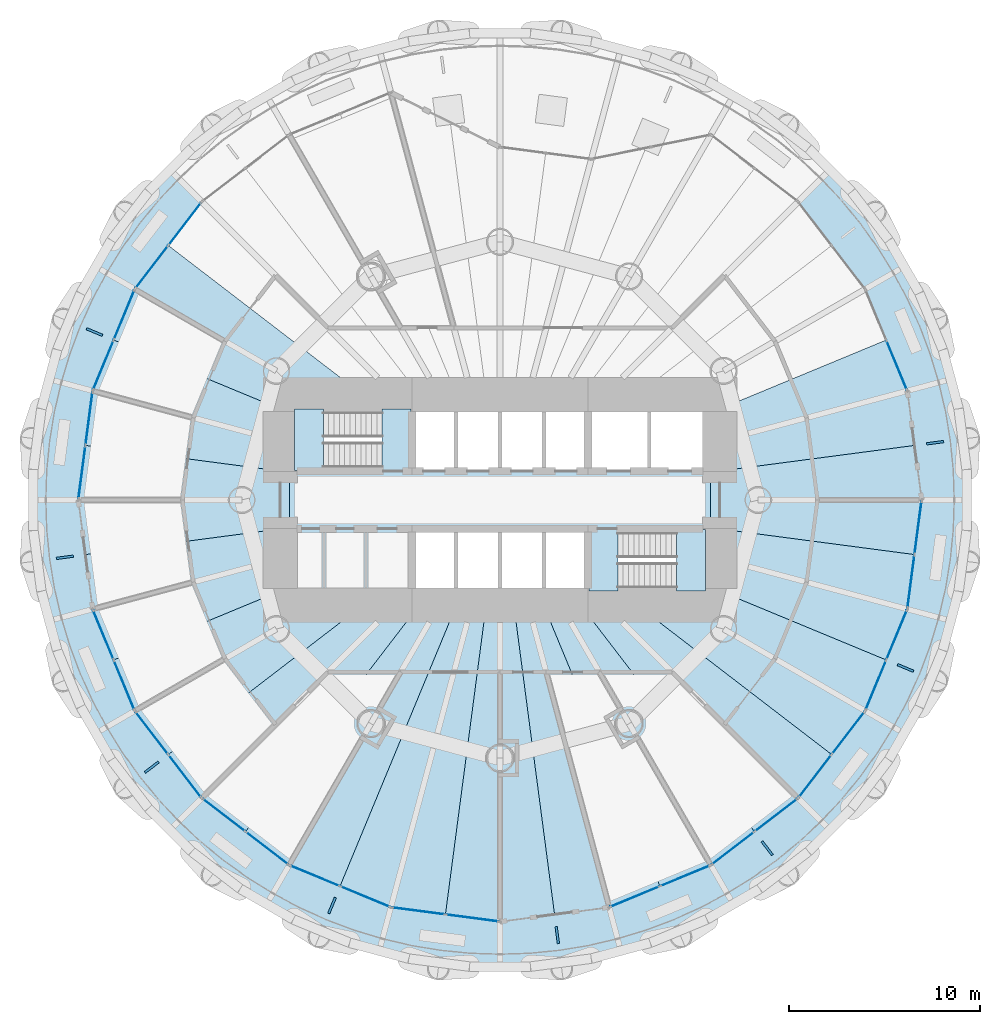
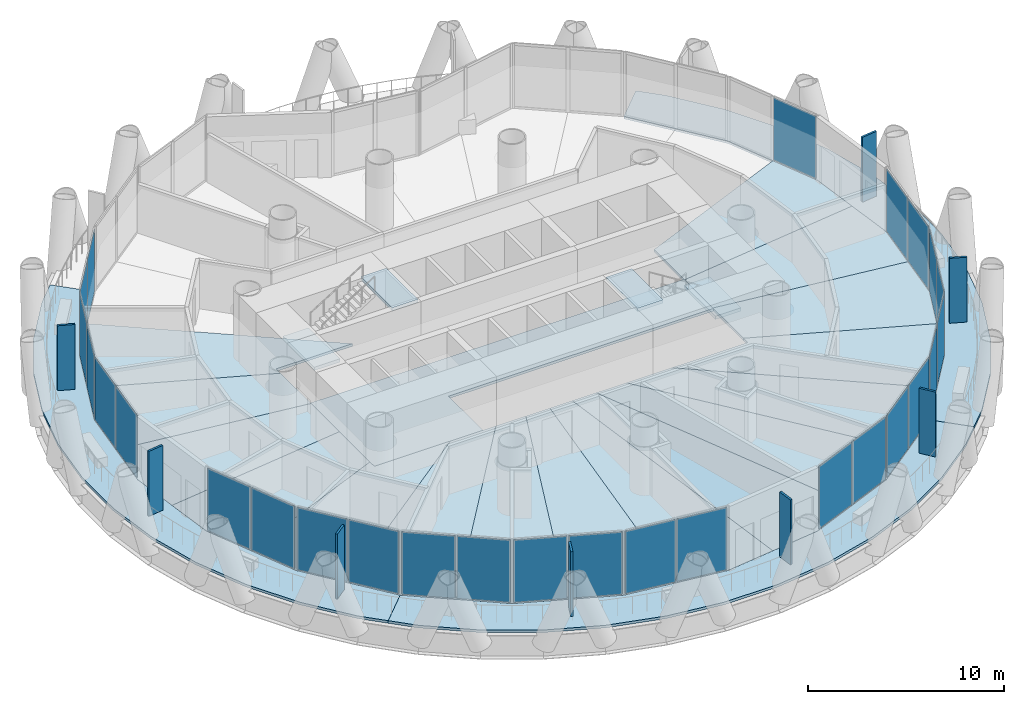
# One storey, part 8 of 16: 35 plates, 24 slabs, 16 elements without a shape of their own.
"""IFC4 building model written with IfcOpenShell, lengths in metres."""

from ifc_helpers import new_model, si_unit, direction, frame, origin, origin_2d, place, context, subcontext, project, spatial, polyline, rectangle, outline, extrude, material, layer, layer_set, type_object, element, aggregate, save


model = new_model("IFC4")

# Units and contexts
model_context = context("Model", 3, precision=1e-05, world=origin(), true_north=direction((0.0, 1.0)))
body_context = subcontext(model_context, "Body", "Model", "MODEL_VIEW")
ifc_project = project(units=[si_unit("LENGTHUNIT", "METRE"), si_unit("AREAUNIT", "SQUARE_METRE"), si_unit("VOLUMEUNIT", "CUBIC_METRE"), si_unit("PLANEANGLEUNIT", "RADIAN"), si_unit("MASSUNIT", "GRAM", prefix="KILO")], contexts=[model_context])

# Site, building, storey
site_placement = place(None, origin())
site = spatial("IfcSite", under=ifc_project, at=site_placement, CompositionType="ELEMENT")
building_placement = place(site_placement, origin())
building = spatial("IfcBuilding", under=site, at=building_placement, Name="Qaws Media Tower", CompositionType="ELEMENT")
storey_placement = place(building_placement, frame((0.0, 0.0, 47.0)))
storey = spatial("IfcBuildingStorey", under=building, at=storey_placement, Name="L09", CompositionType="ELEMENT", Elevation=47.0)

# Slabs
ifc_material_1 = material(Name="Concrete C35/45", Category="concrete")
ifc_layer_1 = layer(ifc_material_1, 0.159912109375)
ifc_layer_set_1 = layer_set([ifc_layer_1], Name="Composite balcony slab 160")
slab_type_1 = type_object("IfcSlabType", Name="Composite balcony slab 160", PredefinedType="FLOOR", material=ifc_layer_set_1)
slab_1_placement = place(storey_placement, frame((0.0, 0.0, -0.159912109375)))
element("IfcSlab", 1, at=slab_1_placement, inside=storey, type_object=slab_type_1, Name="S2 balcony slab L09 R10 to R16, movement joints on R10 and R16", PredefinedType="FLOOR", context=body_context, shape_type="SweptSolid", body=[
    extrude(outline(polyline([(41.617431640625, 33.87890625), (39.670654296875, 36.416259765625), (38.071533203125, 39.18603515625), (36.84765625, 42.140869140625), (36.019775390625, 45.22998046875), (35.602294921875, 48.40087890625), (35.602294921875, 51.59912109375), (36.019775390625, 54.77001953125), (36.84765625, 57.859130859375), (38.071533203125, 60.81396484375), (39.670654296875, 63.583740234375), (41.617431640625, 66.12109375), (42.748291015625, 67.251708984375), (44.408203125, 65.591796875), (40.904052734375, 61.02490234375), (38.701416015625, 55.70703125), (37.949951171875, 50.0), (38.701416015625, 44.29296875), (40.904052734375, 38.97509765625), (44.408203125, 34.408203125), (42.748291015625, 32.748291015625), (41.617431640625, 33.87890625)])), origin(), (0.0, 0.0, 1.0), 0.159912109375),
])
slab_2_placement = place(storey_placement, frame((0.0, 0.0, -0.159912109375)))
element("IfcSlab", 2, at=slab_2_placement, inside=storey, type_object=slab_type_1, Name="S2 balcony slab L09 R16 to R22, movement joints on R16 and R22", PredefinedType="FLOOR", context=body_context, shape_type="SweptSolid", body=[
    extrude(outline(polyline([(76.12109375, 31.617431640625), (73.583740234375, 29.670654296875), (70.81396484375, 28.071533203125), (67.859130859375, 26.84765625), (64.77001953125, 26.019775390625), (61.59912109375, 25.602294921875), (58.40087890625, 25.602294921875), (55.22998046875, 26.019775390625), (52.140869140625, 26.84765625), (49.18603515625, 28.071533203125), (46.416259765625, 29.670654296875), (43.87890625, 31.617431640625), (42.748291015625, 32.748291015625), (44.408203125, 34.408203125), (48.97509765625, 30.904052734375), (54.29296875, 28.701416015625), (60.0, 27.949951171875), (65.70703125, 28.701416015625), (71.02490234375, 30.904052734375), (75.591796875, 34.408203125), (77.251708984375, 32.748291015625), (76.12109375, 31.617431640625)])), origin(), (0.0, 0.0, 1.0), 0.159912109375),
])
slab_3_placement = place(storey_placement, frame((0.0, 0.0, -0.159912109375)))
element("IfcSlab", 3, at=slab_3_placement, inside=storey, type_object=slab_type_1, Name="S2 balcony slab L09 R22 to R04, movement joints on R22 and R04", PredefinedType="FLOOR", context=body_context, shape_type="SweptSolid", body=[
    extrude(outline(polyline([(83.980224609375, 45.22998046875), (83.15234375, 42.140869140625), (81.928466796875, 39.18603515625), (80.329345703125, 36.416259765625), (78.382568359375, 33.87890625), (77.251708984375, 32.748291015625), (75.591796875, 34.408203125), (79.095947265625, 38.97509765625), (81.298583984375, 44.29296875), (82.050048828125, 50.0), (81.298583984375, 55.70703125), (79.095947265625, 61.02490234375), (75.591796875, 65.591796875), (77.251708984375, 67.251708984375), (78.382568359375, 66.12109375), (80.329345703125, 63.583740234375), (81.928466796875, 60.81396484375), (83.15234375, 57.859130859375), (83.980224609375, 54.77001953125), (84.397705078125, 51.59912109375), (84.397705078125, 48.40087890625), (83.980224609375, 45.22998046875)])), origin(), (0.0, 0.0, 1.0), 0.159912109375),
])
ifc_material_2 = material(Name="Concrete C35/45", Category="concrete")
ifc_layer_2 = layer(ifc_material_2, 0.159912109375)
ifc_layer_set_2 = layer_set([ifc_layer_2], Name="Composite floor slab 160")
slab_type_2 = type_object("IfcSlabType", Name="Composite floor slab 160", PredefinedType="FLOOR", material=ifc_layer_set_2)
slab_4_placement = place(storey_placement, frame((0.0, 0.0, -0.159912109375)))
element("IfcSlab", 4, at=slab_4_placement, inside=storey, type_object=slab_type_2, Name="S1 core floor slab L09", PredefinedType="FLOOR", context=body_context, shape_type="SweptSolid", body=[
    extrude(outline(polyline([(71.0, 51.5), (71.0, 48.5), (55.39990234375, 48.5), (55.39990234375, 45.0), (49.0, 45.0), (49.0, 51.5), (71.0, 51.5)])), origin(), (0.0, 0.0, 1.0), 0.159912109375),
])
slab_5_placement = place(storey_placement, frame((0.0, 0.0, -0.159912109375)))
element("IfcSlab", 5, at=slab_5_placement, inside=storey, type_object=slab_type_2, Name="S1 floor panel L09 on R01", PredefinedType="FLOOR", context=body_context, shape_type="SweptSolid", body=[
    extrude(outline(polyline([(82.050048828125, 50.0), (81.67431640625, 47.146484375), (71.0, 48.5517578125), (71.0, 51.4482421875), (81.67431640625, 52.853515625), (82.050048828125, 50.0)])), origin(), (0.0, 0.0, 1.0), 0.159912109375),
])
slab_6_placement = place(storey_placement, frame((0.0, 0.0, -0.159912109375)))
element("IfcSlab", 6, at=slab_6_placement, inside=storey, type_object=slab_type_2, Name="S1 floor panel L09 on R02", PredefinedType="FLOOR", context=body_context, shape_type="SweptSolid", body=[
    extrude(outline(polyline([(81.298583984375, 55.70703125), (81.67431640625, 52.853515625), (71.0, 51.4482421875), (71.0, 54.556396484375), (80.197265625, 58.365966796875), (81.298583984375, 55.70703125)])), origin(), (0.0, 0.0, 1.0), 0.159912109375),
])
slab_7_placement = place(storey_placement, frame((0.0, 0.0, -0.159912109375)))
element("IfcSlab", 7, at=slab_7_placement, inside=storey, type_object=slab_type_2, Name="S1 floor panel L09 on R11", PredefinedType="FLOOR", context=body_context, shape_type="SweptSolid", body=[
    extrude(outline(polyline([(40.904052734375, 61.02490234375), (42.65625, 63.308349609375), (53.48388671875, 55.0), (49.0, 55.0), (49.0, 54.556396484375), (39.802734375, 58.365966796875), (40.904052734375, 61.02490234375)])), origin(), (0.0, 0.0, 1.0), 0.159912109375),
])
slab_8_placement = place(storey_placement, frame((0.0, 0.0, -0.159912109375)))
element("IfcSlab", 8, at=slab_8_placement, inside=storey, type_object=slab_type_2, Name="S1 floor panel L09 on R12", PredefinedType="FLOOR", context=body_context, shape_type="SweptSolid", body=[
    extrude(outline(polyline([(38.701416015625, 55.70703125), (39.802734375, 58.365966796875), (49.0, 54.556396484375), (49.0, 51.4482421875), (38.32568359375, 52.853515625), (38.701416015625, 55.70703125)])), origin(), (0.0, 0.0, 1.0), 0.159912109375),
])
slab_9_placement = place(storey_placement, frame((0.0, 0.0, -0.159912109375)))
element("IfcSlab", 9, at=slab_9_placement, inside=storey, type_object=slab_type_2, Name="S1 floor panel L09 on R13", PredefinedType="FLOOR", context=body_context, shape_type="SweptSolid", body=[
    extrude(outline(polyline([(37.949951171875, 50.0), (38.32568359375, 52.853515625), (49.0, 51.4482421875), (49.0, 48.5517578125), (38.32568359375, 47.146484375), (37.949951171875, 50.0)])), origin(), (0.0, 0.0, 1.0), 0.159912109375),
])
slab_10_placement = place(storey_placement, frame((0.0, 0.0, -0.159912109375)))
element("IfcSlab", 10, at=slab_10_placement, inside=storey, type_object=slab_type_2, Name="S1 floor panel L09 on R14", PredefinedType="FLOOR", context=body_context, shape_type="SweptSolid", body=[
    extrude(outline(polyline([(38.701416015625, 44.29296875), (38.32568359375, 47.146484375), (49.0, 48.5517578125), (49.0, 45.443603515625), (39.802734375, 41.634033203125), (38.701416015625, 44.29296875)])), origin(), (0.0, 0.0, 1.0), 0.159912109375),
])
slab_11_placement = place(storey_placement, frame((0.0, 0.0, -0.159912109375)))
element("IfcSlab", 11, at=slab_11_placement, inside=storey, type_object=slab_type_2, Name="S1 floor panel L09 on R15", PredefinedType="FLOOR", context=body_context, shape_type="SweptSolid", body=[
    extrude(outline(polyline([(40.904052734375, 38.97509765625), (39.802734375, 41.634033203125), (49.0, 45.443603515625), (49.0, 45.0), (53.48388671875, 45.0), (42.65625, 36.691650390625), (40.904052734375, 38.97509765625)])), origin(), (0.0, 0.0, 1.0), 0.159912109375),
])
slab_12_placement = place(storey_placement, frame((0.0, 0.0, -0.159912109375)))
element("IfcSlab", 12, at=slab_12_placement, inside=storey, type_object=slab_type_2, Name="S1 floor panel L09 on R16", PredefinedType="FLOOR", context=body_context, shape_type="SweptSolid", body=[
    extrude(outline(polyline([(44.408203125, 34.408203125), (42.65625, 36.691650390625), (53.48388671875, 45.0), (56.163330078125, 45.0), (46.691650390625, 32.65625), (44.408203125, 34.408203125)])), origin(), (0.0, 0.0, 1.0), 0.159912109375),
])
slab_13_placement = place(storey_placement, frame((0.0, 0.0, -0.159912109375)))
element("IfcSlab", 13, at=slab_13_placement, inside=storey, type_object=slab_type_2, Name="S1 floor panel L09 on R17", PredefinedType="FLOOR", context=body_context, shape_type="SweptSolid", body=[
    extrude(outline(polyline([(48.97509765625, 30.904052734375), (46.691650390625, 32.65625), (56.163330078125, 45.0), (57.928955078125, 45.0), (51.634033203125, 29.802734375), (48.97509765625, 30.904052734375)])), origin(), (0.0, 0.0, 1.0), 0.159912109375),
])
slab_14_placement = place(storey_placement, frame((0.0, 0.0, -0.159912109375)))
element("IfcSlab", 14, at=slab_14_placement, inside=storey, type_object=slab_type_2, Name="S1 floor panel L09 on R18", PredefinedType="FLOOR", context=body_context, shape_type="SweptSolid", body=[
    extrude(outline(polyline([(54.29296875, 28.701416015625), (51.634033203125, 29.802734375), (57.928955078125, 45.0), (59.341796875, 45.0), (57.146484375, 28.32568359375), (54.29296875, 28.701416015625)])), origin(), (0.0, 0.0, 1.0), 0.159912109375),
])
slab_15_placement = place(storey_placement, frame((0.0, 0.0, -0.159912109375)))
element("IfcSlab", 15, at=slab_15_placement, inside=storey, type_object=slab_type_2, Name="S1 floor panel L09 on R19", PredefinedType="FLOOR", context=body_context, shape_type="SweptSolid", body=[
    extrude(outline(polyline([(60.0, 27.949951171875), (57.146484375, 28.32568359375), (59.341796875, 45.0), (60.658203125, 45.0), (62.853515625, 28.32568359375), (60.0, 27.949951171875)])), origin(), (0.0, 0.0, 1.0), 0.159912109375),
])
slab_16_placement = place(storey_placement, frame((0.0, 0.0, -0.159912109375)))
element("IfcSlab", 16, at=slab_16_placement, inside=storey, type_object=slab_type_2, Name="S1 floor panel L09 on R20", PredefinedType="FLOOR", context=body_context, shape_type="SweptSolid", body=[
    extrude(outline(polyline([(65.70703125, 28.701416015625), (62.853515625, 28.32568359375), (60.658203125, 45.0), (62.071044921875, 45.0), (68.365966796875, 29.802734375), (65.70703125, 28.701416015625)])), origin(), (0.0, 0.0, 1.0), 0.159912109375),
])
slab_17_placement = place(storey_placement, frame((0.0, 0.0, -0.159912109375)))
element("IfcSlab", 17, at=slab_17_placement, inside=storey, type_object=slab_type_2, Name="S1 floor panel L09 on R21", PredefinedType="FLOOR", context=body_context, shape_type="SweptSolid", body=[
    extrude(outline(polyline([(71.02490234375, 30.904052734375), (68.365966796875, 29.802734375), (62.071044921875, 45.0), (63.836669921875, 45.0), (73.308349609375, 32.65625), (71.02490234375, 30.904052734375)])), origin(), (0.0, 0.0, 1.0), 0.159912109375),
])
slab_18_placement = place(storey_placement, frame((0.0, 0.0, -0.159912109375)))
element("IfcSlab", 18, at=slab_18_placement, inside=storey, type_object=slab_type_2, Name="S1 floor panel L09 on R22", PredefinedType="FLOOR", context=body_context, shape_type="SweptSolid", body=[
    extrude(outline(polyline([(75.591796875, 34.408203125), (73.308349609375, 32.65625), (63.836669921875, 45.0), (66.51611328125, 45.0), (77.34375, 36.691650390625), (75.591796875, 34.408203125)])), origin(), (0.0, 0.0, 1.0), 0.159912109375),
])
slab_19_placement = place(storey_placement, frame((0.0, 0.0, -0.159912109375)))
element("IfcSlab", 19, at=slab_19_placement, inside=storey, type_object=slab_type_2, Name="S1 floor panel L09 on R23", PredefinedType="FLOOR", context=body_context, shape_type="SweptSolid", body=[
    extrude(outline(polyline([(79.095947265625, 38.97509765625), (77.34375, 36.691650390625), (66.51611328125, 45.0), (71.0, 45.0), (71.0, 45.443603515625), (80.197265625, 41.634033203125), (79.095947265625, 38.97509765625)])), origin(), (0.0, 0.0, 1.0), 0.159912109375),
])
slab_20_placement = place(storey_placement, frame((0.0, 0.0, -0.159912109375)))
element("IfcSlab", 20, at=slab_20_placement, inside=storey, type_object=slab_type_2, Name="S1 floor panel L09 on R24", PredefinedType="FLOOR", context=body_context, shape_type="SweptSolid", body=[
    extrude(outline(polyline([(80.197265625, 41.634033203125), (71.0, 45.443603515625), (71.0, 48.5517578125), (81.67431640625, 47.146484375), (81.298583984375, 44.29296875), (80.197265625, 41.634033203125)])), origin(), (0.0, 0.0, 1.0), 0.159912109375),
])

# Curtain wall, plate
ifc_material_3 = material(Name="Aluminium and clear glass", Category="aluminium")
curtain_wall_type = type_object("IfcCurtainWallType", Name="Unitised curtain wall CW-A", PredefinedType="NOTDEFINED", material=ifc_material_3)
curtain_wall_1_placement = place(storey_placement, origin())
curtain_wall_1 = element("IfcCurtainWall", 21, at=curtain_wall_1_placement, inside=storey, type_object=curtain_wall_type, Name="CWA curtain wall L09-02", PredefinedType="NOTDEFINED")
ifc_material_4 = material(Name="Clear laminated double glazing", Category="glass")
ifc_layer_3 = layer(ifc_material_4, 0.031982421875)
ifc_layer_set_3 = layer_set([ifc_layer_3], Name="Curtain wall glass unit 32")
plate_type_1 = type_object("IfcPlateType", Name="Curtain wall glass unit 32", PredefinedType="CURTAIN_PANEL", material=ifc_layer_set_3)
plate_1_placement = place(storey_placement, frame((80.740234375, 57.054931640625, 0.080078125), z_axis=(0.0, 0.0, 1.0), x_axis=(-0.382683388877, 0.923879550525, 0.0)))
plate_1 = element("IfcPlate", 22, at=plate_1_placement, type_object=plate_type_1, Name="CWA panel 1.1", PredefinedType="CURTAIN_PANEL", context=body_context, shape_type="SweptSolid", body=[
    extrude(rectangle(XDim=2.758056640625, YDim=0.031982421875, at=origin_2d()), origin(), (0.0, 0.0, 1.0), 3.8798828125),
])
aggregate(curtain_wall_1, [plate_1])

# Curtain wall, plates
curtain_wall_2_placement = place(storey_placement, origin())
curtain_wall_2 = element("IfcCurtainWall", 23, at=curtain_wall_2_placement, inside=storey, type_object=curtain_wall_type, Name="CWA curtain wall L09-10", PredefinedType="NOTDEFINED")
plate_2_placement = place(storey_placement, frame((43.52001953125, 64.43408203125, 0.080078125), z_axis=(0.0, 0.0, 1.0), x_axis=(-0.608761320465, -0.79335342358, 0.0)))
plate_2 = element("IfcPlate", 24, at=plate_2_placement, type_object=plate_type_1, Name="CWA panel 1.1", PredefinedType="CURTAIN_PANEL", context=body_context, shape_type="SweptSolid", body=[
    extrude(rectangle(XDim=2.758056640625, YDim=0.031982421875, at=origin_2d()), origin(), (0.0, 0.0, 1.0), 3.8798828125),
])
plate_3_placement = place(storey_placement, frame((41.792236328125, 62.1826171875, 0.080078125), z_axis=(0.0, 0.0, 1.0), x_axis=(-0.608761320465, -0.79335342358, 0.0)))
plate_3 = element("IfcPlate", 25, at=plate_3_placement, type_object=plate_type_1, Name="CWA panel 2.1", PredefinedType="CURTAIN_PANEL", context=body_context, shape_type="SweptSolid", body=[
    extrude(rectangle(XDim=2.758056640625, YDim=0.031982421875, at=origin_2d()), origin(), (0.0, 0.0, 1.0), 3.8798828125),
])
aggregate(curtain_wall_2, [plate_2, plate_3])

curtain_wall_3_placement = place(storey_placement, origin())
curtain_wall_3 = element("IfcCurtainWall", 26, at=curtain_wall_3_placement, inside=storey, type_object=curtain_wall_type, Name="CWA curtain wall L09-11", PredefinedType="NOTDEFINED")
plate_4_placement = place(storey_placement, frame((40.345703125, 59.677001953125, 0.080078125), z_axis=(0.0, 0.0, 1.0), x_axis=(-0.382683388877, -0.923879550525, 0.0)))
plate_4 = element("IfcPlate", 27, at=plate_4_placement, type_object=plate_type_1, Name="CWA panel 1.1", PredefinedType="CURTAIN_PANEL", context=body_context, shape_type="SweptSolid", body=[
    extrude(rectangle(XDim=2.758056640625, YDim=0.031982421875, at=origin_2d()), origin(), (0.0, 0.0, 1.0), 3.8798828125),
])
plate_5_placement = place(storey_placement, frame((39.259765625, 57.054931640625, 0.080078125), z_axis=(0.0, 0.0, 1.0), x_axis=(-0.382683388877, -0.923879550525, 0.0)))
plate_5 = element("IfcPlate", 28, at=plate_5_placement, type_object=plate_type_1, Name="CWA panel 2.1", PredefinedType="CURTAIN_PANEL", context=body_context, shape_type="SweptSolid", body=[
    extrude(rectangle(XDim=2.758056640625, YDim=0.031982421875, at=origin_2d()), origin(), (0.0, 0.0, 1.0), 3.8798828125),
])
aggregate(curtain_wall_3, [plate_4, plate_5])

curtain_wall_4_placement = place(storey_placement, origin())
curtain_wall_4 = element("IfcCurtainWall", 29, at=curtain_wall_4_placement, inside=storey, type_object=curtain_wall_type, Name="CWA curtain wall L09-12", PredefinedType="NOTDEFINED")
plate_6_placement = place(storey_placement, frame((38.510986328125, 54.260498046875, 0.080078125), z_axis=(0.0, 0.0, 1.0), x_axis=(-0.130526271178, -0.991444850979, 0.0)))
plate_6 = element("IfcPlate", 30, at=plate_6_placement, type_object=plate_type_1, Name="CWA panel 1.1", PredefinedType="CURTAIN_PANEL", context=body_context, shape_type="SweptSolid", body=[
    extrude(rectangle(XDim=2.758056640625, YDim=0.031982421875, at=origin_2d()), origin(), (0.0, 0.0, 1.0), 3.8798828125),
])
plate_7_placement = place(storey_placement, frame((38.140380859375, 51.446533203125, 0.080078125), z_axis=(0.0, 0.0, 1.0), x_axis=(-0.130526271178, -0.991444850979, 0.0)))
plate_7 = element("IfcPlate", 31, at=plate_7_placement, type_object=plate_type_1, Name="CWA panel 2.1", PredefinedType="CURTAIN_PANEL", context=body_context, shape_type="SweptSolid", body=[
    extrude(rectangle(XDim=2.758056640625, YDim=0.031982421875, at=origin_2d()), origin(), (0.0, 0.0, 1.0), 3.8798828125),
])
aggregate(curtain_wall_4, [plate_6, plate_7])

curtain_wall_5_placement = place(storey_placement, origin())
curtain_wall_5 = element("IfcCurtainWall", 32, at=curtain_wall_5_placement, inside=storey, type_object=curtain_wall_type, Name="CWA curtain wall L09-14", PredefinedType="NOTDEFINED")
plate_8_placement = place(storey_placement, frame((39.259765625, 42.945068359375, 0.080078125), z_axis=(0.0, 0.0, 1.0), x_axis=(0.382683388877, -0.923879550525, 0.0)))
plate_8 = element("IfcPlate", 33, at=plate_8_placement, type_object=plate_type_1, Name="CWA panel 1.1", PredefinedType="CURTAIN_PANEL", context=body_context, shape_type="SweptSolid", body=[
    extrude(rectangle(XDim=2.758056640625, YDim=0.031982421875, at=origin_2d()), origin(), (0.0, 0.0, 1.0), 3.8798828125),
])
plate_9_placement = place(storey_placement, frame((40.345703125, 40.322998046875, 0.080078125), z_axis=(0.0, 0.0, 1.0), x_axis=(0.382683388877, -0.923879550525, 0.0)))
plate_9 = element("IfcPlate", 34, at=plate_9_placement, type_object=plate_type_1, Name="CWA panel 2.1", PredefinedType="CURTAIN_PANEL", context=body_context, shape_type="SweptSolid", body=[
    extrude(rectangle(XDim=2.758056640625, YDim=0.031982421875, at=origin_2d()), origin(), (0.0, 0.0, 1.0), 3.8798828125),
])
aggregate(curtain_wall_5, [plate_8, plate_9])

curtain_wall_6_placement = place(storey_placement, origin())
curtain_wall_6 = element("IfcCurtainWall", 35, at=curtain_wall_6_placement, inside=storey, type_object=curtain_wall_type, Name="CWA curtain wall L09-15", PredefinedType="NOTDEFINED")
plate_10_placement = place(storey_placement, frame((41.792236328125, 37.8173828125, 0.080078125), z_axis=(0.0, 0.0, 1.0), x_axis=(0.608761320465, -0.79335342358, 0.0)))
plate_10 = element("IfcPlate", 36, at=plate_10_placement, type_object=plate_type_1, Name="CWA panel 1.1", PredefinedType="CURTAIN_PANEL", context=body_context, shape_type="SweptSolid", body=[
    extrude(rectangle(XDim=2.758056640625, YDim=0.031982421875, at=origin_2d()), origin(), (0.0, 0.0, 1.0), 3.8798828125),
])
plate_11_placement = place(storey_placement, frame((43.52001953125, 35.56591796875, 0.080078125), z_axis=(0.0, 0.0, 1.0), x_axis=(0.608761320465, -0.79335342358, 0.0)))
plate_11 = element("IfcPlate", 37, at=plate_11_placement, type_object=plate_type_1, Name="CWA panel 2.1", PredefinedType="CURTAIN_PANEL", context=body_context, shape_type="SweptSolid", body=[
    extrude(rectangle(XDim=2.758056640625, YDim=0.031982421875, at=origin_2d()), origin(), (0.0, 0.0, 1.0), 3.8798828125),
])
aggregate(curtain_wall_6, [plate_10, plate_11])

curtain_wall_7_placement = place(storey_placement, origin())
curtain_wall_7 = element("IfcCurtainWall", 38, at=curtain_wall_7_placement, inside=storey, type_object=curtain_wall_type, Name="CWA curtain wall L09-16", PredefinedType="NOTDEFINED")
plate_12_placement = place(storey_placement, frame((45.56591796875, 33.52001953125, 0.080078125), z_axis=(0.0, 0.0, 1.0), x_axis=(0.79335342358, -0.608761320465, 0.0)))
plate_12 = element("IfcPlate", 39, at=plate_12_placement, type_object=plate_type_1, Name="CWA panel 1.1", PredefinedType="CURTAIN_PANEL", context=body_context, shape_type="SweptSolid", body=[
    extrude(rectangle(XDim=2.758056640625, YDim=0.031982421875, at=origin_2d()), origin(), (0.0, 0.0, 1.0), 3.8798828125),
])
plate_13_placement = place(storey_placement, frame((47.8173828125, 31.792236328125, 0.080078125), z_axis=(0.0, 0.0, 1.0), x_axis=(0.79335342358, -0.608761320465, 0.0)))
plate_13 = element("IfcPlate", 40, at=plate_13_placement, type_object=plate_type_1, Name="CWA panel 2.1", PredefinedType="CURTAIN_PANEL", context=body_context, shape_type="SweptSolid", body=[
    extrude(rectangle(XDim=2.758056640625, YDim=0.031982421875, at=origin_2d()), origin(), (0.0, 0.0, 1.0), 3.8798828125),
])
aggregate(curtain_wall_7, [plate_12, plate_13])

curtain_wall_8_placement = place(storey_placement, origin())
curtain_wall_8 = element("IfcCurtainWall", 41, at=curtain_wall_8_placement, inside=storey, type_object=curtain_wall_type, Name="CWA curtain wall L09-17", PredefinedType="NOTDEFINED")
plate_14_placement = place(storey_placement, frame((50.322998046875, 30.345703125, 0.080078125), z_axis=(0.0, 0.0, 1.0), x_axis=(0.923879550525, -0.382683388877, 0.0)))
plate_14 = element("IfcPlate", 42, at=plate_14_placement, type_object=plate_type_1, Name="CWA panel 1.1", PredefinedType="CURTAIN_PANEL", context=body_context, shape_type="SweptSolid", body=[
    extrude(rectangle(XDim=2.758056640625, YDim=0.031982421875, at=origin_2d()), origin(), (0.0, 0.0, 1.0), 3.8798828125),
])
plate_15_placement = place(storey_placement, frame((52.945068359375, 29.259765625, 0.080078125), z_axis=(0.0, 0.0, 1.0), x_axis=(0.923879550525, -0.382683388877, 0.0)))
plate_15 = element("IfcPlate", 43, at=plate_15_placement, type_object=plate_type_1, Name="CWA panel 2.1", PredefinedType="CURTAIN_PANEL", context=body_context, shape_type="SweptSolid", body=[
    extrude(rectangle(XDim=2.758056640625, YDim=0.031982421875, at=origin_2d()), origin(), (0.0, 0.0, 1.0), 3.8798828125),
])
aggregate(curtain_wall_8, [plate_14, plate_15])

curtain_wall_9_placement = place(storey_placement, origin())
curtain_wall_9 = element("IfcCurtainWall", 44, at=curtain_wall_9_placement, inside=storey, type_object=curtain_wall_type, Name="CWA curtain wall L09-18", PredefinedType="NOTDEFINED")
plate_16_placement = place(storey_placement, frame((55.739501953125, 28.510986328125, 0.080078125), z_axis=(0.0, 0.0, 1.0), x_axis=(0.991444850979, -0.130526271178, 0.0)))
plate_16 = element("IfcPlate", 45, at=plate_16_placement, type_object=plate_type_1, Name="CWA panel 1.1", PredefinedType="CURTAIN_PANEL", context=body_context, shape_type="SweptSolid", body=[
    extrude(rectangle(XDim=2.758056640625, YDim=0.031982421875, at=origin_2d()), origin(), (0.0, 0.0, 1.0), 3.8798828125),
])
plate_17_placement = place(storey_placement, frame((58.553466796875, 28.140380859375, 0.080078125), z_axis=(0.0, 0.0, 1.0), x_axis=(0.991444850979, -0.130526271178, 0.0)))
plate_17 = element("IfcPlate", 46, at=plate_17_placement, type_object=plate_type_1, Name="CWA panel 2.1", PredefinedType="CURTAIN_PANEL", context=body_context, shape_type="SweptSolid", body=[
    extrude(rectangle(XDim=2.758056640625, YDim=0.031982421875, at=origin_2d()), origin(), (0.0, 0.0, 1.0), 3.8798828125),
])
aggregate(curtain_wall_9, [plate_16, plate_17])

curtain_wall_10_placement = place(storey_placement, origin())
curtain_wall_10 = element("IfcCurtainWall", 47, at=curtain_wall_10_placement, inside=storey, type_object=curtain_wall_type, Name="CWA curtain wall L09-20", PredefinedType="NOTDEFINED")
plate_18_placement = place(storey_placement, frame((67.054931640625, 29.259765625, 0.080078125), z_axis=(0.0, 0.0, 1.0), x_axis=(0.923879550525, 0.382683388877, 0.0)))
plate_18 = element("IfcPlate", 48, at=plate_18_placement, type_object=plate_type_1, Name="CWA panel 1.1", PredefinedType="CURTAIN_PANEL", context=body_context, shape_type="SweptSolid", body=[
    extrude(rectangle(XDim=2.758056640625, YDim=0.031982421875, at=origin_2d()), origin(), (0.0, 0.0, 1.0), 3.8798828125),
])
plate_19_placement = place(storey_placement, frame((69.677001953125, 30.345703125, 0.080078125), z_axis=(0.0, 0.0, 1.0), x_axis=(0.923879550525, 0.382683388877, 0.0)))
plate_19 = element("IfcPlate", 49, at=plate_19_placement, type_object=plate_type_1, Name="CWA panel 2.1", PredefinedType="CURTAIN_PANEL", context=body_context, shape_type="SweptSolid", body=[
    extrude(rectangle(XDim=2.758056640625, YDim=0.031982421875, at=origin_2d()), origin(), (0.0, 0.0, 1.0), 3.8798828125),
])
aggregate(curtain_wall_10, [plate_18, plate_19])

curtain_wall_11_placement = place(storey_placement, origin())
curtain_wall_11 = element("IfcCurtainWall", 50, at=curtain_wall_11_placement, inside=storey, type_object=curtain_wall_type, Name="CWA curtain wall L09-21", PredefinedType="NOTDEFINED")
plate_20_placement = place(storey_placement, frame((72.1826171875, 31.792236328125, 0.080078125), z_axis=(0.0, 0.0, 1.0), x_axis=(0.79335342358, 0.608761320465, 0.0)))
plate_20 = element("IfcPlate", 51, at=plate_20_placement, type_object=plate_type_1, Name="CWA panel 1.1", PredefinedType="CURTAIN_PANEL", context=body_context, shape_type="SweptSolid", body=[
    extrude(rectangle(XDim=2.758056640625, YDim=0.031982421875, at=origin_2d()), origin(), (0.0, 0.0, 1.0), 3.8798828125),
])
plate_21_placement = place(storey_placement, frame((74.43408203125, 33.52001953125, 0.080078125), z_axis=(0.0, 0.0, 1.0), x_axis=(0.79335342358, 0.608761320465, 0.0)))
plate_21 = element("IfcPlate", 52, at=plate_21_placement, type_object=plate_type_1, Name="CWA panel 2.1", PredefinedType="CURTAIN_PANEL", context=body_context, shape_type="SweptSolid", body=[
    extrude(rectangle(XDim=2.758056640625, YDim=0.031982421875, at=origin_2d()), origin(), (0.0, 0.0, 1.0), 3.8798828125),
])
aggregate(curtain_wall_11, [plate_20, plate_21])

curtain_wall_12_placement = place(storey_placement, origin())
curtain_wall_12 = element("IfcCurtainWall", 53, at=curtain_wall_12_placement, inside=storey, type_object=curtain_wall_type, Name="CWA curtain wall L09-22", PredefinedType="NOTDEFINED")
plate_22_placement = place(storey_placement, frame((76.47998046875, 35.56591796875, 0.080078125), z_axis=(0.0, 0.0, 1.0), x_axis=(0.608761320465, 0.79335342358, 0.0)))
plate_22 = element("IfcPlate", 54, at=plate_22_placement, type_object=plate_type_1, Name="CWA panel 1.1", PredefinedType="CURTAIN_PANEL", context=body_context, shape_type="SweptSolid", body=[
    extrude(rectangle(XDim=2.758056640625, YDim=0.031982421875, at=origin_2d()), origin(), (0.0, 0.0, 1.0), 3.8798828125),
])
plate_23_placement = place(storey_placement, frame((78.207763671875, 37.8173828125, 0.080078125), z_axis=(0.0, 0.0, 1.0), x_axis=(0.608761320465, 0.79335342358, 0.0)))
plate_23 = element("IfcPlate", 55, at=plate_23_placement, type_object=plate_type_1, Name="CWA panel 2.1", PredefinedType="CURTAIN_PANEL", context=body_context, shape_type="SweptSolid", body=[
    extrude(rectangle(XDim=2.758056640625, YDim=0.031982421875, at=origin_2d()), origin(), (0.0, 0.0, 1.0), 3.8798828125),
])
aggregate(curtain_wall_12, [plate_22, plate_23])

curtain_wall_13_placement = place(storey_placement, origin())
curtain_wall_13 = element("IfcCurtainWall", 56, at=curtain_wall_13_placement, inside=storey, type_object=curtain_wall_type, Name="CWA curtain wall L09-23", PredefinedType="NOTDEFINED")
plate_24_placement = place(storey_placement, frame((79.654296875, 40.322998046875, 0.080078125), z_axis=(0.0, 0.0, 1.0), x_axis=(0.382683388877, 0.923879550525, 0.0)))
plate_24 = element("IfcPlate", 57, at=plate_24_placement, type_object=plate_type_1, Name="CWA panel 1.1", PredefinedType="CURTAIN_PANEL", context=body_context, shape_type="SweptSolid", body=[
    extrude(rectangle(XDim=2.758056640625, YDim=0.031982421875, at=origin_2d()), origin(), (0.0, 0.0, 1.0), 3.8798828125),
])
plate_25_placement = place(storey_placement, frame((80.740234375, 42.945068359375, 0.080078125), z_axis=(0.0, 0.0, 1.0), x_axis=(0.382683388877, 0.923879550525, 0.0)))
plate_25 = element("IfcPlate", 58, at=plate_25_placement, type_object=plate_type_1, Name="CWA panel 2.1", PredefinedType="CURTAIN_PANEL", context=body_context, shape_type="SweptSolid", body=[
    extrude(rectangle(XDim=2.758056640625, YDim=0.031982421875, at=origin_2d()), origin(), (0.0, 0.0, 1.0), 3.8798828125),
])
aggregate(curtain_wall_13, [plate_24, plate_25])

curtain_wall_14_placement = place(storey_placement, origin())
curtain_wall_14 = element("IfcCurtainWall", 59, at=curtain_wall_14_placement, inside=storey, type_object=curtain_wall_type, Name="CWA curtain wall L09-24", PredefinedType="NOTDEFINED")
plate_26_placement = place(storey_placement, frame((81.489013671875, 45.739501953125, 0.080078125), z_axis=(0.0, 0.0, 1.0), x_axis=(0.130526271178, 0.991444850979, 0.0)))
plate_26 = element("IfcPlate", 60, at=plate_26_placement, type_object=plate_type_1, Name="CWA panel 1.1", PredefinedType="CURTAIN_PANEL", context=body_context, shape_type="SweptSolid", body=[
    extrude(rectangle(XDim=2.758056640625, YDim=0.031982421875, at=origin_2d()), origin(), (0.0, 0.0, 1.0), 3.8798828125),
])
plate_27_placement = place(storey_placement, frame((81.859619140625, 48.553466796875, 0.080078125), z_axis=(0.0, 0.0, 1.0), x_axis=(0.130526271178, 0.991444850979, 0.0)))
plate_27 = element("IfcPlate", 61, at=plate_27_placement, type_object=plate_type_1, Name="CWA panel 2.1", PredefinedType="CURTAIN_PANEL", context=body_context, shape_type="SweptSolid", body=[
    extrude(rectangle(XDim=2.758056640625, YDim=0.031982421875, at=origin_2d()), origin(), (0.0, 0.0, 1.0), 3.8798828125),
])
aggregate(curtain_wall_14, [plate_26, plate_27])

# Plates
ifc_material_5 = material(Name="Precast concrete screen fin", Category="concrete")
ifc_layer_4 = layer(ifc_material_5, 0.1201171875)
ifc_layer_set_4 = layer_set([ifc_layer_4], Name="Screen fin 120x900")
plate_type_2 = type_object("IfcPlateType", Name="Screen fin 120x900", PredefinedType="USERDEFINED", material=ifc_layer_set_4)
for number, where, z_axis, x_axis, name in (
    (62, (82.753662109375, 52.99560546875, 0.0), (0.0, 0.0, 1.0), (0.991444861374, 0.13052619222, 0.0), "SCR1 screen fin L09-01"),
    (63, (38.796875, 58.782470703125, 0.0), (0.0, 0.0, 1.0), (-0.923879532511, 0.382683432365, 0.0), "SCR1 screen fin L09-06"),
    (64, (37.246337890625, 47.00439453125, 0.0), (0.0, 0.0, 1.0), (-0.991444861374, -0.13052619222, 0.0), "SCR1 screen fin L09-07"),
    (65, (41.79248046875, 36.02880859375, 0.0), (0.0, 0.0, 1.0), (-0.793353340291, -0.608761429009, 0.0), "SCR1 screen fin L09-08"),
    (66, (51.217529296875, 28.796875, 0.0), (0.0, 0.0, 1.0), (-0.382683432365, -0.923879532511, 0.0), "SCR1 screen fin L09-09"),
    (67, (62.99560546875, 27.246337890625, 0.0), (0.0, 0.0, 1.0), (0.13052619222, -0.991444861374, 0.0), "SCR1 screen fin L09-10"),
    (68, (73.97119140625, 31.79248046875, 0.0), (0.0, 0.0, 1.0), (0.608761429009, -0.793353340291, 0.0), "SCR1 screen fin L09-11"),
    (69, (81.203125, 41.217529296875, 0.0), (0.0, 0.0, 1.0), (0.923879532511, -0.382683432365, 0.0), "SCR1 screen fin L09-12"),
):
    element("IfcPlate", number, at=place(storey_placement, frame(where, z_axis=z_axis, x_axis=x_axis)), inside=storey, type_object=plate_type_2, Name=name, ObjectType="SCREEN", PredefinedType="USERDEFINED", context=body_context, shape_type="SweptSolid", body=[
        extrude(rectangle(XDim=0.89990234375, YDim=0.1201171875, at=origin_2d()), origin(), (0.0, 0.0, 1.0), 4.0400390625),
    ])

# Stair, slabs
ifc_material_6 = material(Name="Concrete C40/50", Category="concrete")
stair_type = type_object("IfcStairType", Name="Exit stair", PredefinedType="HALF_TURN_STAIR", material=ifc_material_6)
stair_1_placement = place(storey_placement, origin())
stair_1 = element("IfcStair", 70, at=stair_1_placement, inside=storey, type_object=stair_type, Name="S1 exit stair L09", PredefinedType="HALF_TURN_STAIR")
ifc_material_7 = material(Name="Concrete C40/50", Category="concrete")
ifc_layer_5 = layer(ifc_material_7, 0.199951171875)
ifc_layer_set_5 = layer_set([ifc_layer_5], Name="Stair landing 200")
slab_type_3 = type_object("IfcSlabType", Name="Stair landing 200", PredefinedType="LANDING", material=ifc_layer_set_5)
slab_21_placement = place(storey_placement, frame((0.0, 0.0, 1.89990234375)))
slab_21 = element("IfcSlab", 71, at=slab_21_placement, type_object=slab_type_3, Name="S1 landing 1", PredefinedType="LANDING", context=body_context, shape_type="SweptSolid", body=[
    extrude(outline(polyline([(49.25, 51.550048828125), (50.760009765625, 51.550048828125), (50.760009765625, 54.75), (49.25, 54.75), (49.25, 51.550048828125)])), origin(), (0.0, 0.0, 1.0), 0.2001953125),
])
slab_22_placement = place(storey_placement, frame((0.0, 0.0, 4.0)))
slab_22 = element("IfcSlab", 72, at=slab_22_placement, type_object=slab_type_3, Name="S1 landing 2", PredefinedType="LANDING", context=body_context, shape_type="SweptSolid", body=[
    extrude(outline(polyline([(53.840087890625, 51.550048828125), (55.35009765625, 51.550048828125), (55.35009765625, 54.75), (53.840087890625, 54.75), (53.840087890625, 51.550048828125)])), origin(), (0.0, 0.0, 1.0), 0.199951171875),
])
aggregate(stair_1, [slab_21, slab_22])

stair_2_placement = place(storey_placement, origin())
stair_2 = element("IfcStair", 73, at=stair_2_placement, inside=storey, type_object=stair_type, Name="S2 exit stair L09", PredefinedType="HALF_TURN_STAIR")
slab_23_placement = place(storey_placement, frame((0.0, 0.0, 1.89990234375)))
slab_23 = element("IfcSlab", 74, at=slab_23_placement, type_object=slab_type_3, Name="S2 landing 1", PredefinedType="LANDING", context=body_context, shape_type="SweptSolid", body=[
    extrude(outline(polyline([(69.239990234375, 45.25), (70.75, 45.25), (70.75, 48.449951171875), (69.239990234375, 48.449951171875), (69.239990234375, 45.25)])), origin(), (0.0, 0.0, 1.0), 0.2001953125),
])
slab_24_placement = place(storey_placement, frame((0.0, 0.0, 4.0)))
slab_24 = element("IfcSlab", 75, at=slab_24_placement, type_object=slab_type_3, Name="S2 landing 2", PredefinedType="LANDING", context=body_context, shape_type="SweptSolid", body=[
    extrude(outline(polyline([(64.64990234375, 45.25), (66.159912109375, 45.25), (66.159912109375, 48.449951171875), (64.64990234375, 48.449951171875), (64.64990234375, 45.25)])), origin(), (0.0, 0.0, 1.0), 0.199951171875),
])
aggregate(stair_2, [slab_23, slab_24])

save(model, "model.ifc")
